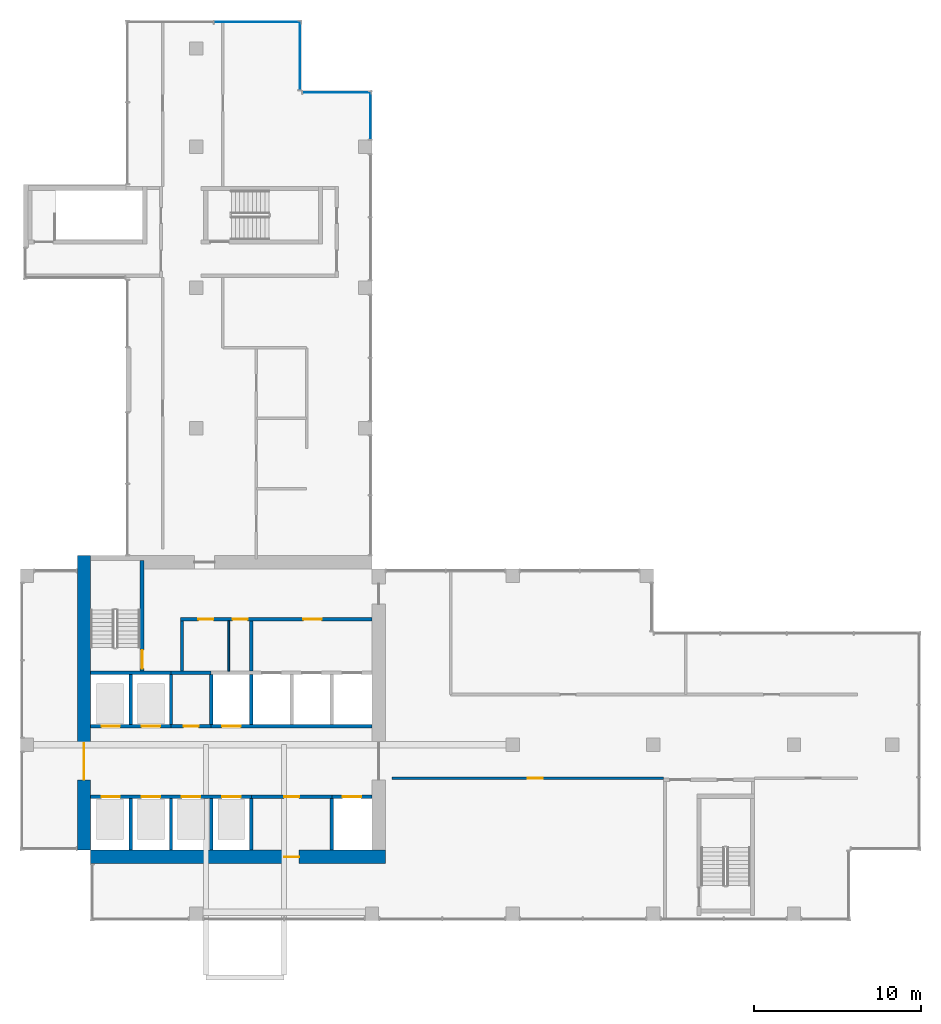
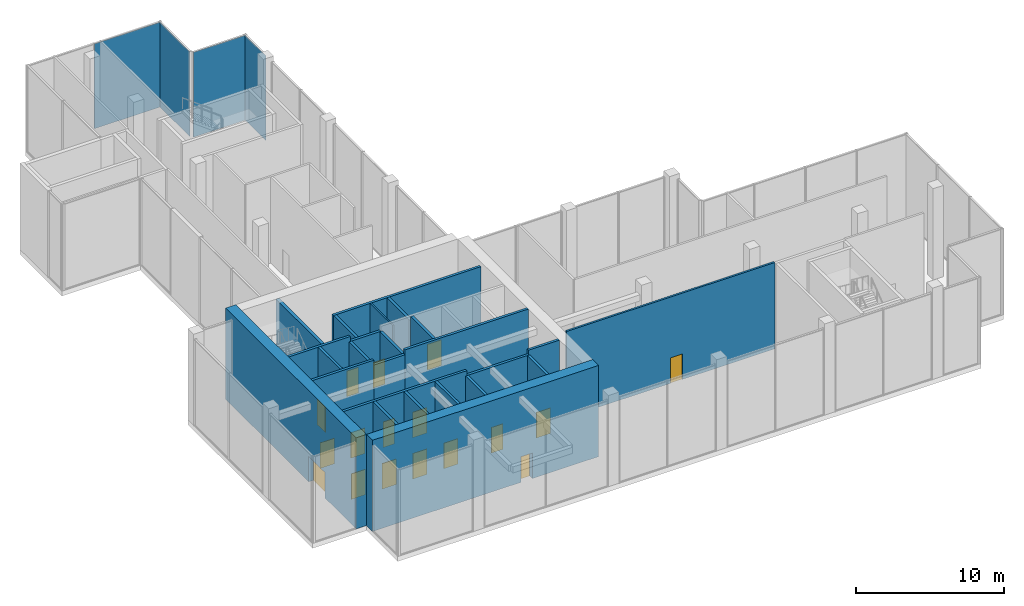
# One storey, part 7 of 13: 25 walls, 17 doors, 4 plates, 17 openings, 4 elements without a shape of their own.
"""IFC4 building model written with IfcOpenShell, lengths in metres."""

from ifc_helpers import new_model, si_unit, direction, frame, frame_2d, origin, origin_2d, place, context, subcontext, project, spatial, rectangle, extrude, source, transform, mapped, material, layer, layer_set, type_object, element, fill, aggregate, save


model = new_model("IFC4")

# Units and contexts
model_context = context("Model", 3, precision=1e-05, world=origin(), true_north=direction((0.0, 1.0)))
body_context = subcontext(model_context, "Body", "Model", "MODEL_VIEW")
ifc_project = project(units=[si_unit("LENGTHUNIT", "METRE"), si_unit("AREAUNIT", "SQUARE_METRE"), si_unit("VOLUMEUNIT", "CUBIC_METRE"), si_unit("PLANEANGLEUNIT", "RADIAN"), si_unit("MASSUNIT", "GRAM", prefix="KILO")], contexts=[model_context])

# Site, building, storey
site_placement = place(None, origin())
site = spatial("IfcSite", under=ifc_project, at=site_placement, CompositionType="ELEMENT")
building_placement = place(site_placement, origin())
building = spatial("IfcBuilding", under=site, at=building_placement, Name="Aurelian Terraces", CompositionType="ELEMENT")
storey_placement = place(building_placement, frame((0.0, 0.0, 277.0)))
storey = spatial("IfcBuildingStorey", under=building, at=storey_placement, Name="L63", CompositionType="ELEMENT", Elevation=277.0)

# Curtain wall, plate
ifc_material_1 = material(Name="Anodised aluminium and clear glazing", Category="aluminium")
ifc_layer_1 = layer(ifc_material_1, 0.2)
ifc_layer_set_1 = layer_set([ifc_layer_1], Name="Lobby glazing curtain wall")
curtain_wall_type = type_object("IfcCurtainWallType", Name="Lobby glazing curtain wall", PredefinedType="NOTDEFINED", material=ifc_layer_set_1)
curtain_wall_1_placement = place(storey_placement, origin())
curtain_wall_1 = element("IfcCurtainWall", 1, at=curtain_wall_1_placement, inside=storey, type_object=curtain_wall_type, Name="Lobby glazing L63 F09.1", PredefinedType="NOTDEFINED")
ifc_material_2 = material(Name="Clear glazing", Category="glass")
ifc_layer_2 = layer(ifc_material_2, 0.028)
ifc_layer_set_2 = layer_set([ifc_layer_2], Name="Lobby glazing glazing panel")
plate_type = type_object("IfcPlateType", Name="Lobby glazing glazing panel", PredefinedType="CURTAIN_PANEL", material=ifc_layer_set_2)
shared_shape_1 = source(origin(), body_context, "Body", "SweptSolid", [
    extrude(rectangle(XDim=4.08, YDim=0.028, at=origin_2d()), origin(), (0.0, 0.0, 1.0), 6.98),
])
plate_1_placement = place(storey_placement, frame((18.9, 49.46, 0.06), z_axis=(0.0, 0.0, 1.0), x_axis=(-1.0, 0.0, 0.0)))
plate_1 = element("IfcPlate", 2, at=plate_1_placement, type_object=plate_type, Name="CW2 panel 1.1", PredefinedType="CURTAIN_PANEL", context=body_context, shape_type="MappedRepresentation", body=[
    mapped(shared_shape_1, transform((0.0, 0.0, 0.0), scale=1.0)),
])
aggregate(curtain_wall_1, [plate_1])

curtain_wall_2_placement = place(storey_placement, origin())
curtain_wall_2 = element("IfcCurtainWall", 3, at=curtain_wall_2_placement, inside=storey, type_object=curtain_wall_type, Name="Lobby glazing L63 F10.1", PredefinedType="NOTDEFINED")
plate_2_placement = place(storey_placement, frame((16.7, 51.66, 0.06), z_axis=(0.0, 0.0, 1.0), x_axis=(0.0, 1.0, 0.0)))
plate_2 = element("IfcPlate", 4, at=plate_2_placement, type_object=plate_type, Name="CW2 panel 1.1", PredefinedType="CURTAIN_PANEL", context=body_context, shape_type="MappedRepresentation", body=[
    mapped(shared_shape_1, transform((0.0, 0.0, 0.0), scale=1.0)),
])
aggregate(curtain_wall_2, [plate_2])

curtain_wall_3_placement = place(storey_placement, origin())
curtain_wall_3 = element("IfcCurtainWall", 5, at=curtain_wall_3_placement, inside=storey, type_object=curtain_wall_type, Name="Lobby glazing L63 F11.1", PredefinedType="NOTDEFINED")
shared_shape_2 = source(origin(), body_context, "Body", "SweptSolid", [
    extrude(rectangle(XDim=5.16, YDim=0.028, at=origin_2d()), origin(), (0.0, 0.0, 1.0), 6.98),
])
plate_3_placement = place(storey_placement, frame((14.16, 53.66, 0.06), z_axis=(0.0, 0.0, 1.0), x_axis=(-1.0, 0.0, 0.0)))
plate_3 = element("IfcPlate", 6, at=plate_3_placement, type_object=plate_type, Name="CW2 panel 1.1", PredefinedType="CURTAIN_PANEL", context=body_context, shape_type="MappedRepresentation", body=[
    mapped(shared_shape_2, transform((0.0, 0.0, 0.0), scale=1.0)),
])
aggregate(curtain_wall_3, [plate_3])

curtain_wall_4_placement = place(storey_placement, origin())
curtain_wall_4 = element("IfcCurtainWall", 7, at=curtain_wall_4_placement, inside=storey, type_object=curtain_wall_type, Name="Lobby glazing L63 F08.4", PredefinedType="NOTDEFINED")
shared_shape_3 = source(origin(), body_context, "Body", "SweptSolid", [
    extrude(rectangle(XDim=2.84, YDim=0.028, at=origin_2d()), origin(), (0.0, 0.0, 1.0), 6.98),
])
plate_4_placement = place(storey_placement, frame((20.9, 48.08, 0.06), z_axis=(0.0, 0.0, 1.0), x_axis=(0.0, 1.0, 0.0)))
plate_4 = element("IfcPlate", 8, at=plate_4_placement, type_object=plate_type, Name="CW2 panel 1.1", PredefinedType="CURTAIN_PANEL", context=body_context, shape_type="MappedRepresentation", body=[
    mapped(shared_shape_3, transform((0.0, 0.0, 0.0), scale=1.0)),
])
aggregate(curtain_wall_4, [plate_4])

# Wall, opening, door
ifc_material_3 = material(Name="Concrete fc' 70 MPa", Category="concrete")
ifc_layer_3 = layer(ifc_material_3, 0.8)
ifc_layer_set_3 = layer_set([ifc_layer_3], Name="CORE WALL 800 FC70")
wall_type_1 = type_object("IfcWallType", Name="CORE WALL 800 FC70", PredefinedType="SHEAR", material=ifc_layer_set_3)
wall_1_placement = place(storey_placement, frame((3.8, 4.2, 0.0), z_axis=(0.0, 0.0, 1.0), x_axis=(0.0, 1.0, 0.0)))
wall_1 = element("IfcWall", 9, at=wall_1_placement, inside=storey, type_object=wall_type_1, Name="Core wall W L63", PredefinedType="SHEAR", context=body_context, shape_type="SweptSolid", body=[
    extrude(rectangle(XDim=17.6, YDim=0.8, at=frame_2d((8.8, 0.0))), origin(), (0.0, 0.0, 1.0), 7.5),
])
shared_shape_4 = source(origin(), body_context, "Body", "SweptSolid", [
    extrude(rectangle(XDim=2.2, YDim=2.1, at=frame_2d((1.1, 1.05))), frame((0.0, 0.41, 0.0), z_axis=(0.0, -1.0, 0.0), x_axis=(1.0, 0.0, 0.0)), (0.0, 0.0, 1.0), 0.82),
])
opening_1_placement = place(wall_1_placement, frame((4.2, 0.0, 0.0)))
opening_1 = element("IfcOpeningElement", 10, at=opening_1_placement, cuts=wall_1, Name="Opening 66627", PredefinedType="OPENING", context=body_context, shape_type="MappedRepresentation", body=[
    mapped(shared_shape_4, transform((0.0, 0.0, 0.0), scale=1.0)),
])
ifc_material_4 = material(Name="Steel door leaf", Category="steel")
door_type_1 = type_object("IfcDoorType", Name="Core double door 2200x2100", OperationType="DOUBLE_DOOR_SINGLE_SWING", PredefinedType="DOOR", material=ifc_material_4)
shared_shape_5 = source(origin(), body_context, "Body", "SweptSolid", [
    extrude(rectangle(XDim=2.2, YDim=2.1, at=frame_2d((1.1, 1.05))), frame((0.0, 0.025, 0.0), z_axis=(0.0, -1.0, 0.0), x_axis=(1.0, 0.0, 0.0)), (0.0, 0.0, 1.0), 0.05),
])
door_1_placement = place(opening_1_placement, origin())
door_1 = element("IfcDoor", 11, at=door_1_placement, inside=storey, type_object=door_type_1, Name="Core door 66627", OperationType="DOUBLE_DOOR_SINGLE_SWING", OverallHeight=2.1, OverallWidth=2.2, PredefinedType="DOOR", context=body_context, shape_type="MappedRepresentation", body=[
    mapped(shared_shape_5, transform((0.0, 0.0, 0.0), scale=1.0)),
])
fill(opening_1, door_1)

# Wall
ifc_material_5 = material(Name="Concrete fc' 40 MPa", Category="concrete")
ifc_layer_4 = layer(ifc_material_5, 0.2)
ifc_layer_set_4 = layer_set([ifc_layer_4], Name="Lift shaft wall 200")
wall_type_2 = type_object("IfcWallType", Name="Lift shaft wall 200", PredefinedType="SOLIDWALL", material=ifc_layer_set_4)
wall_2_placement = place(storey_placement, frame((13.8, 4.2, 0.0), z_axis=(0.0, 0.0, 1.0), x_axis=(0.0, 1.0, 0.0)))
element("IfcWall", 12, at=wall_2_placement, inside=storey, type_object=wall_type_2, Name="L63 core wall CD-A4", PredefinedType="SOLIDWALL", context=body_context, shape_type="SweptSolid", body=[
    extrude(rectangle(XDim=3.1, YDim=0.2, at=frame_2d((1.55, 0.0))), origin(), (0.0, 0.0, 1.0), 7.1),
])

# Wall, opening, door
wall_3_placement = place(storey_placement, frame((13.8, 7.4, 0.0), z_axis=(0.0, 0.0, 1.0), x_axis=(1.0, 0.0, 0.0)))
wall_3 = element("IfcWall", 13, at=wall_3_placement, inside=storey, type_object=wall_type_2, Name="L63 core wall CF-AF2", PredefinedType="SOLIDWALL", context=body_context, shape_type="SweptSolid", body=[
    extrude(rectangle(XDim=4.8, YDim=0.2, at=frame_2d((2.4, 0.0))), origin(), (0.0, 0.0, 1.0), 7.1),
])
shared_shape_6 = source(origin(), body_context, "Body", "SweptSolid", [
    extrude(rectangle(XDim=0.9, YDim=2.1, at=frame_2d((0.45, 1.05))), frame((0.0, 0.11, 0.0), z_axis=(0.0, -1.0, 0.0), x_axis=(1.0, 0.0, 0.0)), (0.0, 0.0, 1.0), 0.22),
])
opening_2_placement = place(wall_3_placement, frame((1.95, 0.0, 0.0)))
opening_2 = element("IfcOpeningElement", 14, at=opening_2_placement, cuts=wall_3, Name="Opening 66604", PredefinedType="OPENING", context=body_context, shape_type="MappedRepresentation", body=[
    mapped(shared_shape_6, transform((0.0, 0.0, 0.0), scale=1.0)),
])
door_type_2 = type_object("IfcDoorType", Name="Core service door 900x2100", OperationType="SINGLE_SWING_LEFT", PredefinedType="DOOR", material=ifc_material_4)
shared_shape_7 = source(origin(), body_context, "Body", "SweptSolid", [
    extrude(rectangle(XDim=0.9, YDim=2.1, at=frame_2d((0.45, 1.05))), frame((0.0, 0.025, 0.0), z_axis=(0.0, -1.0, 0.0), x_axis=(1.0, 0.0, 0.0)), (0.0, 0.0, 1.0), 0.05),
])
door_2_placement = place(opening_2_placement, origin())
door_2 = element("IfcDoor", 15, at=door_2_placement, inside=storey, type_object=door_type_2, Name="Room door 66604", OperationType="SINGLE_SWING_LEFT", OverallHeight=2.1, OverallWidth=0.9, PredefinedType="DOOR", context=body_context, shape_type="MappedRepresentation", body=[
    mapped(shared_shape_7, transform((0.0, 0.0, 0.0), scale=1.0)),
])
fill(opening_2, door_2)

wall_4_placement = place(storey_placement, frame((18.6, 7.4, 0.0), z_axis=(0.0, 0.0, 1.0), x_axis=(1.0, 0.0, 0.0)))
wall_4 = element("IfcWall", 16, at=wall_4_placement, inside=storey, type_object=wall_type_2, Name="L63 core wall CF-AF3", PredefinedType="SOLIDWALL", context=body_context, shape_type="SweptSolid", body=[
    extrude(rectangle(XDim=2.4, YDim=0.2, at=frame_2d((1.2, 0.0))), origin(), (0.0, 0.0, 1.0), 7.5),
])
shared_shape_8 = source(origin(), body_context, "Body", "SweptSolid", [
    extrude(rectangle(XDim=1.1, YDim=2.1, at=frame_2d((0.55, 1.05))), frame((0.0, 0.11, 0.0), z_axis=(0.0, -1.0, 0.0), x_axis=(1.0, 0.0, 0.0)), (0.0, 0.0, 1.0), 0.22),
])
opening_3_placement = place(wall_4_placement, frame((0.65, 0.0, 0.0)))
opening_3 = element("IfcOpeningElement", 17, at=opening_3_placement, cuts=wall_4, Name="Opening 66605", PredefinedType="OPENING", context=body_context, shape_type="MappedRepresentation", body=[
    mapped(shared_shape_8, transform((0.0, 0.0, 0.0), scale=1.0)),
])
ifc_material_6 = material(Name="Stainless steel", Category="steel")
door_type_3 = type_object("IfcDoorType", Name="Lift landing door 1100x2100", OperationType="SLIDING_TO_LEFT", PredefinedType="DOOR", material=ifc_material_6)
shared_shape_9 = source(origin(), body_context, "Body", "SweptSolid", [
    extrude(rectangle(XDim=1.1, YDim=2.1, at=frame_2d((0.55, 1.05))), frame((0.0, 0.025, 0.0), z_axis=(0.0, -1.0, 0.0), x_axis=(1.0, 0.0, 0.0)), (0.0, 0.0, 1.0), 0.05),
])
door_3_placement = place(opening_3_placement, origin())
door_3 = element("IfcDoor", 18, at=door_3_placement, inside=storey, type_object=door_type_3, Name="Lift landing door SH3 L63", OperationType="SLIDING_TO_LEFT", OverallHeight=2.1, OverallWidth=1.1, PredefinedType="DOOR", context=body_context, shape_type="MappedRepresentation", body=[
    mapped(shared_shape_9, transform((0.0, 0.0, 0.0), scale=1.0)),
])
fill(opening_3, door_3)

shared_shape_10 = source(origin(), body_context, "Body", "SweptSolid", [
    extrude(rectangle(XDim=17.6, YDim=0.8, at=frame_2d((8.8, 0.0))), origin(), (0.0, 0.0, 1.0), 7.5),
])
wall_5_placement = place(storey_placement, frame((4.2, 3.8, 0.0), z_axis=(0.0, 0.0, 1.0), x_axis=(1.0, 0.0, 0.0)))
wall_5 = element("IfcWall", 19, at=wall_5_placement, inside=storey, type_object=wall_type_1, Name="Core wall S L63", PredefinedType="SHEAR", context=body_context, shape_type="MappedRepresentation", body=[
    mapped(shared_shape_10, transform((0.0, 0.0, 0.0), scale=1.0)),
])
shared_shape_11 = source(origin(), body_context, "Body", "SweptSolid", [
    extrude(rectangle(XDim=0.9, YDim=2.1, at=frame_2d((0.45, 1.05))), frame((0.0, 0.41, 0.0), z_axis=(0.0, -1.0, 0.0), x_axis=(1.0, 0.0, 0.0)), (0.0, 0.0, 1.0), 0.82),
])
opening_4_placement = place(wall_5_placement, frame((11.55, 0.0, 0.0)))
opening_4 = element("IfcOpeningElement", 20, at=opening_4_placement, cuts=wall_5, Name="Opening 66630", PredefinedType="OPENING", context=body_context, shape_type="MappedRepresentation", body=[
    mapped(shared_shape_11, transform((0.0, 0.0, 0.0), scale=1.0)),
])
door_4_placement = place(opening_4_placement, origin())
door_4 = element("IfcDoor", 21, at=door_4_placement, inside=storey, type_object=door_type_2, Name="Core door 66630", OperationType="SINGLE_SWING_LEFT", OverallHeight=2.1, OverallWidth=0.9, PredefinedType="DOOR", context=body_context, shape_type="MappedRepresentation", body=[
    mapped(shared_shape_7, transform((0.0, 0.0, 0.0), scale=1.0)),
])
fill(opening_4, door_4)

# Walls
shared_shape_12 = source(origin(), body_context, "Body", "SweptSolid", [
    extrude(rectangle(XDim=3.1, YDim=0.2, at=frame_2d((1.55, 0.0))), origin(), (0.0, 0.0, 1.0), 7.5),
])
for number, where, z_axis, x_axis, name in (
    (22, (6.6, 4.2, 0.0), (0.0, 0.0, 1.0), (0.0, 1.0, 0.0), "L63 core wall CD-A1"),
    (23, (9.0, 4.2, 0.0), (0.0, 0.0, 1.0), (0.0, 1.0, 0.0), "L63 core wall CD-A2"),
    (24, (11.4, 4.2, 0.0), (0.0, 0.0, 1.0), (0.0, 1.0, 0.0), "L63 core wall CD-A3"),
):
    element("IfcWall", number, at=place(storey_placement, frame(where, z_axis=z_axis, x_axis=x_axis)), inside=storey, type_object=wall_type_2, Name=name, PredefinedType="SOLIDWALL", context=body_context, shape_type="MappedRepresentation", body=[
        mapped(shared_shape_12, transform((0.0, 0.0, 0.0), scale=1.0)),
    ])
shared_shape_13 = source(origin(), body_context, "Body", "SweptSolid", [
    extrude(rectangle(XDim=3.0, YDim=0.2, at=frame_2d((1.5, 0.0))), origin(), (0.0, 0.0, 1.0), 7.5),
])
for number, where, z_axis, x_axis, name in (
    (25, (6.6, 11.7, 0.0), (0.0, 0.0, 1.0), (0.0, 1.0, 0.0), "L63 core wall CD-B1"),
    (26, (13.8, 11.7, 0.0), (0.0, 0.0, 1.0), (0.0, 1.0, 0.0), "L63 core wall CD-B4"),
):
    element("IfcWall", number, at=place(storey_placement, frame(where, z_axis=z_axis, x_axis=x_axis)), inside=storey, type_object=wall_type_2, Name=name, PredefinedType="SOLIDWALL", context=body_context, shape_type="MappedRepresentation", body=[
        mapped(shared_shape_13, transform((0.0, 0.0, 0.0), scale=1.0)),
    ])
shared_shape_14 = source(origin(), body_context, "Body", "SweptSolid", [
    extrude(rectangle(XDim=3.0, YDim=0.2, at=frame_2d((1.5, 0.0))), origin(), (0.0, 0.0, 1.0), 7.1),
])
for number, where, z_axis, x_axis, name in (
    (27, (9.0, 11.7, 0.0), (0.0, 0.0, 1.0), (0.0, 1.0, 0.0), "L63 core wall CD-B2"),
    (28, (11.4, 11.7, 0.0), (0.0, 0.0, 1.0), (0.0, 1.0, 0.0), "L63 core wall CD-B3"),
):
    element("IfcWall", number, at=place(storey_placement, frame(where, z_axis=z_axis, x_axis=x_axis)), inside=storey, type_object=wall_type_2, Name=name, PredefinedType="SOLIDWALL", context=body_context, shape_type="MappedRepresentation", body=[
        mapped(shared_shape_14, transform((0.0, 0.0, 0.0), scale=1.0)),
    ])

# Wall, openings, doors
shared_shape_15 = source(origin(), body_context, "Body", "SweptSolid", [
    extrude(rectangle(XDim=4.8, YDim=0.2, at=frame_2d((2.4, 0.0))), origin(), (0.0, 0.0, 1.0), 7.5),
])
wall_6_placement = place(storey_placement, frame((4.2, 11.6, 0.0), z_axis=(0.0, 0.0, 1.0), x_axis=(1.0, 0.0, 0.0)))
wall_6 = element("IfcWall", 29, at=wall_6_placement, inside=storey, type_object=wall_type_2, Name="L63 core wall CF-BF1", PredefinedType="SOLIDWALL", context=body_context, shape_type="MappedRepresentation", body=[
    mapped(shared_shape_15, transform((0.0, 0.0, 0.0), scale=1.0)),
])
opening_5_placement = place(wall_6_placement, frame((0.65, 0.0, 0.0)))
opening_5 = element("IfcOpeningElement", 30, at=opening_5_placement, cuts=wall_6, Name="Opening 66606", PredefinedType="OPENING", context=body_context, shape_type="MappedRepresentation", body=[
    mapped(shared_shape_8, transform((0.0, 0.0, 0.0), scale=1.0)),
])
opening_6_placement = place(wall_6_placement, frame((3.05, 0.0, 0.0)))
opening_6 = element("IfcOpeningElement", 31, at=opening_6_placement, cuts=wall_6, Name="Opening 66607", PredefinedType="OPENING", context=body_context, shape_type="MappedRepresentation", body=[
    mapped(shared_shape_8, transform((0.0, 0.0, 0.0), scale=1.0)),
])
door_5_placement = place(opening_5_placement, origin())
door_5 = element("IfcDoor", 32, at=door_5_placement, inside=storey, type_object=door_type_3, Name="Lift landing door LH5 L63", OperationType="SLIDING_TO_LEFT", OverallHeight=2.1, OverallWidth=1.1, PredefinedType="DOOR", context=body_context, shape_type="MappedRepresentation", body=[
    mapped(shared_shape_9, transform((0.0, 0.0, 0.0), scale=1.0)),
])
fill(opening_5, door_5)
door_6_placement = place(opening_6_placement, origin())
door_6 = element("IfcDoor", 33, at=door_6_placement, inside=storey, type_object=door_type_3, Name="Lift landing door LH6 L63", OperationType="SLIDING_TO_LEFT", OverallHeight=2.1, OverallWidth=1.1, PredefinedType="DOOR", context=body_context, shape_type="MappedRepresentation", body=[
    mapped(shared_shape_9, transform((0.0, 0.0, 0.0), scale=1.0)),
])
fill(opening_6, door_6)

# Wall
wall_7_placement = place(storey_placement, frame((4.2, 14.8, 0.0), z_axis=(0.0, 0.0, 1.0), x_axis=(1.0, 0.0, 0.0)))
element("IfcWall", 34, at=wall_7_placement, inside=storey, type_object=wall_type_2, Name="L63 core wall CF-BB1", PredefinedType="SOLIDWALL", context=body_context, shape_type="MappedRepresentation", body=[
    mapped(shared_shape_15, transform((0.0, 0.0, 0.0), scale=1.0)),
])

# Wall, opening, door
shared_shape_16 = source(origin(), body_context, "Body", "SweptSolid", [
    extrude(rectangle(XDim=2.4, YDim=0.2, at=frame_2d((1.2, 0.0))), origin(), (0.0, 0.0, 1.0), 7.1),
])
wall_8_placement = place(storey_placement, frame((9.0, 11.6, 0.0), z_axis=(0.0, 0.0, 1.0), x_axis=(1.0, 0.0, 0.0)))
wall_8 = element("IfcWall", 35, at=wall_8_placement, inside=storey, type_object=wall_type_2, Name="L63 core wall CF-BF2", PredefinedType="SOLIDWALL", context=body_context, shape_type="MappedRepresentation", body=[
    mapped(shared_shape_16, transform((0.0, 0.0, 0.0), scale=1.0)),
])
opening_7_placement = place(wall_8_placement, frame((0.75, 0.0, 0.0)))
opening_7 = element("IfcOpeningElement", 36, at=opening_7_placement, cuts=wall_8, Name="Opening 66608", PredefinedType="OPENING", context=body_context, shape_type="MappedRepresentation", body=[
    mapped(shared_shape_6, transform((0.0, 0.0, 0.0), scale=1.0)),
])
door_7_placement = place(opening_7_placement, origin())
door_7 = element("IfcDoor", 37, at=door_7_placement, inside=storey, type_object=door_type_2, Name="Room door 66608", OperationType="SINGLE_SWING_LEFT", OverallHeight=2.1, OverallWidth=0.9, PredefinedType="DOOR", context=body_context, shape_type="MappedRepresentation", body=[
    mapped(shared_shape_7, transform((0.0, 0.0, 0.0), scale=1.0)),
])
fill(opening_7, door_7)

# Wall
wall_9_placement = place(storey_placement, frame((9.0, 14.8, 0.0), z_axis=(0.0, 0.0, 1.0), x_axis=(1.0, 0.0, 0.0)))
element("IfcWall", 38, at=wall_9_placement, inside=storey, type_object=wall_type_2, Name="L63 core wall CF-BB2", PredefinedType="SOLIDWALL", context=body_context, shape_type="MappedRepresentation", body=[
    mapped(shared_shape_16, transform((0.0, 0.0, 0.0), scale=1.0)),
])

# Wall, openings, doors
shared_shape_17 = source(origin(), body_context, "Body", "SweptSolid", [
    extrude(rectangle(XDim=9.6, YDim=0.2, at=frame_2d((4.8, 0.0))), origin(), (0.0, 0.0, 1.0), 7.5),
])
wall_10_placement = place(storey_placement, frame((4.2, 7.4, 0.0), z_axis=(0.0, 0.0, 1.0), x_axis=(1.0, 0.0, 0.0)))
wall_10 = element("IfcWall", 39, at=wall_10_placement, inside=storey, type_object=wall_type_2, Name="L63 core wall CF-AF1", PredefinedType="SOLIDWALL", context=body_context, shape_type="MappedRepresentation", body=[
    mapped(shared_shape_17, transform((0.0, 0.0, 0.0), scale=1.0)),
])
opening_8_placement = place(wall_10_placement, frame((0.65, 0.0, 0.0)))
opening_8 = element("IfcOpeningElement", 40, at=opening_8_placement, cuts=wall_10, Name="Opening 66600", PredefinedType="OPENING", context=body_context, shape_type="MappedRepresentation", body=[
    mapped(shared_shape_8, transform((0.0, 0.0, 0.0), scale=1.0)),
])
opening_9_placement = place(wall_10_placement, frame((3.05, 0.0, 0.0)))
opening_9 = element("IfcOpeningElement", 41, at=opening_9_placement, cuts=wall_10, Name="Opening 66601", PredefinedType="OPENING", context=body_context, shape_type="MappedRepresentation", body=[
    mapped(shared_shape_8, transform((0.0, 0.0, 0.0), scale=1.0)),
])
opening_10_placement = place(wall_10_placement, frame((5.45, 0.0, 0.0)))
opening_10 = element("IfcOpeningElement", 42, at=opening_10_placement, cuts=wall_10, Name="Opening 66602", PredefinedType="OPENING", context=body_context, shape_type="MappedRepresentation", body=[
    mapped(shared_shape_8, transform((0.0, 0.0, 0.0), scale=1.0)),
])
opening_11_placement = place(wall_10_placement, frame((7.85, 0.0, 0.0)))
opening_11 = element("IfcOpeningElement", 43, at=opening_11_placement, cuts=wall_10, Name="Opening 66603", PredefinedType="OPENING", context=body_context, shape_type="MappedRepresentation", body=[
    mapped(shared_shape_8, transform((0.0, 0.0, 0.0), scale=1.0)),
])
door_8_placement = place(opening_8_placement, origin())
door_8 = element("IfcDoor", 44, at=door_8_placement, inside=storey, type_object=door_type_3, Name="Lift landing door LH1 L63", OperationType="SLIDING_TO_LEFT", OverallHeight=2.1, OverallWidth=1.1, PredefinedType="DOOR", context=body_context, shape_type="MappedRepresentation", body=[
    mapped(shared_shape_9, transform((0.0, 0.0, 0.0), scale=1.0)),
])
fill(opening_8, door_8)
door_9_placement = place(opening_9_placement, origin())
door_9 = element("IfcDoor", 45, at=door_9_placement, inside=storey, type_object=door_type_3, Name="Lift landing door LH2 L63", OperationType="SLIDING_TO_LEFT", OverallHeight=2.1, OverallWidth=1.1, PredefinedType="DOOR", context=body_context, shape_type="MappedRepresentation", body=[
    mapped(shared_shape_9, transform((0.0, 0.0, 0.0), scale=1.0)),
])
fill(opening_9, door_9)
door_10_placement = place(opening_10_placement, origin())
door_10 = element("IfcDoor", 46, at=door_10_placement, inside=storey, type_object=door_type_3, Name="Lift landing door LH3 L63", OperationType="SLIDING_TO_LEFT", OverallHeight=2.1, OverallWidth=1.1, PredefinedType="DOOR", context=body_context, shape_type="MappedRepresentation", body=[
    mapped(shared_shape_9, transform((0.0, 0.0, 0.0), scale=1.0)),
])
fill(opening_10, door_10)
door_11_placement = place(opening_11_placement, origin())
door_11 = element("IfcDoor", 47, at=door_11_placement, inside=storey, type_object=door_type_3, Name="Lift landing door LH4 L63", OperationType="SLIDING_TO_LEFT", OverallHeight=2.1, OverallWidth=1.1, PredefinedType="DOOR", context=body_context, shape_type="MappedRepresentation", body=[
    mapped(shared_shape_9, transform((0.0, 0.0, 0.0), scale=1.0)),
])
fill(opening_11, door_11)

# Wall, opening, door
wall_11_placement = place(storey_placement, frame((11.4, 11.6, 0.0), z_axis=(0.0, 0.0, 1.0), x_axis=(1.0, 0.0, 0.0)))
wall_11 = element("IfcWall", 48, at=wall_11_placement, inside=storey, type_object=wall_type_2, Name="L63 core wall CF-BF3", PredefinedType="SOLIDWALL", context=body_context, shape_type="MappedRepresentation", body=[
    mapped(shared_shape_17, transform((0.0, 0.0, 0.0), scale=1.0)),
])
opening_12_placement = place(wall_11_placement, frame((0.65, 0.0, 0.0)))
opening_12 = element("IfcOpeningElement", 49, at=opening_12_placement, cuts=wall_11, Name="Opening 66609", PredefinedType="OPENING", context=body_context, shape_type="MappedRepresentation", body=[
    mapped(shared_shape_8, transform((0.0, 0.0, 0.0), scale=1.0)),
])
door_12_placement = place(opening_12_placement, origin())
door_12 = element("IfcDoor", 50, at=door_12_placement, inside=storey, type_object=door_type_3, Name="Lift landing door SH4 L63", OperationType="SLIDING_TO_LEFT", OverallHeight=2.1, OverallWidth=1.1, PredefinedType="DOOR", context=body_context, shape_type="MappedRepresentation", body=[
    mapped(shared_shape_9, transform((0.0, 0.0, 0.0), scale=1.0)),
])
fill(opening_12, door_12)

# Walls
ifc_material_7 = material(Name="Gypsum board on steel studs", Category="steel")
ifc_layer_5 = layer(ifc_material_7, 0.2)
ifc_layer_set_5 = layer_set([ifc_layer_5], Name="Core partition 200")
wall_type_3 = type_object("IfcWallType", Name="Core partition 200", PredefinedType="PARTITIONING", material=ifc_layer_set_5)
shared_shape_18 = source(origin(), body_context, "Body", "SweptSolid", [
    extrude(rectangle(XDim=3.0, YDim=0.2, at=frame_2d((1.5, 0.0))), origin(), (0.0, 0.0, 1.0), 7.1),
])
for number, where, z_axis, x_axis, name in (
    (51, (9.65, 14.9, 0.0), (0.0, 0.0, 1.0), (0.0, 1.0, 0.0), "L63 core wall CP-VEST"),
    (52, (13.8, 14.9, 0.0), (0.0, 0.0, 1.0), (0.0, 1.0, 0.0), "L63 core wall CP-FFL"),
):
    element("IfcWall", number, at=place(storey_placement, frame(where, z_axis=z_axis, x_axis=x_axis)), inside=storey, type_object=wall_type_3, Name=name, PredefinedType="PARTITIONING", context=body_context, shape_type="MappedRepresentation", body=[
        mapped(shared_shape_18, transform((0.0, 0.0, 0.0), scale=1.0)),
    ])
ifc_layer_6 = layer(ifc_material_7, 0.1)
ifc_layer_set_6 = layer_set([ifc_layer_6], Name="Core partition 100")
wall_type_4 = type_object("IfcWallType", Name="Core partition 100", PredefinedType="PARTITIONING", material=ifc_layer_set_6)
shared_shape_19 = source(origin(), body_context, "Body", "SweptSolid", [
    extrude(rectangle(XDim=3.0, YDim=0.1, at=frame_2d((1.5, 0.0))), origin(), (0.0, 0.0, 1.0), 7.1),
])
wall_12_placement = place(storey_placement, frame((12.45, 14.9, 0.0), z_axis=(0.0, 0.0, 1.0), x_axis=(0.0, 1.0, 0.0)))
element("IfcWall", 53, at=wall_12_placement, inside=storey, type_object=wall_type_4, Name="L63 core wall CP-SV1", PredefinedType="PARTITIONING", context=body_context, shape_type="MappedRepresentation", body=[
    mapped(shared_shape_19, transform((0.0, 0.0, 0.0), scale=1.0)),
])
shared_shape_20 = source(origin(), body_context, "Body", "SweptSolid", [
    extrude(rectangle(XDim=3.1, YDim=0.2, at=frame_2d((1.55, 0.0))), origin(), (0.0, 0.0, 1.0), 7.1),
])
wall_13_placement = place(storey_placement, frame((18.6, 4.2, 0.0), z_axis=(0.0, 0.0, 1.0), x_axis=(0.0, 1.0, 0.0)))
element("IfcWall", 54, at=wall_13_placement, inside=storey, type_object=wall_type_2, Name="L63 core wall CD-A6", PredefinedType="SOLIDWALL", context=body_context, shape_type="MappedRepresentation", body=[
    mapped(shared_shape_20, transform((0.0, 0.0, 0.0), scale=1.0)),
])

# Wall, opening, door
ifc_layer_7 = layer(ifc_material_5, 0.25)
ifc_layer_set_7 = layer_set([ifc_layer_7], Name="Stair enclosure wall 250")
wall_type_5 = type_object("IfcWallType", Name="Stair enclosure wall 250", PredefinedType="SOLIDWALL", material=ifc_layer_set_7)
shared_shape_21 = source(origin(), body_context, "Body", "SweptSolid", [
    extrude(rectangle(XDim=6.6, YDim=0.25, at=frame_2d((3.3, 0.0))), origin(), (0.0, 0.0, 1.0), 7.1),
])
wall_14_placement = place(storey_placement, frame((7.275, 14.9, 0.0), z_axis=(0.0, 0.0, 1.0), x_axis=(0.0, 1.0, 0.0)))
wall_14 = element("IfcWall", 55, at=wall_14_placement, inside=storey, type_object=wall_type_5, Name="L63 core wall ST-S1-E", PredefinedType="SOLIDWALL", context=body_context, shape_type="MappedRepresentation", body=[
    mapped(shared_shape_21, transform((0.0, 0.0, 0.0), scale=1.0)),
])
shared_shape_22 = source(origin(), body_context, "Body", "SweptSolid", [
    extrude(rectangle(XDim=1.1, YDim=2.1, at=frame_2d((0.55, 1.05))), frame((0.0, 0.135, 0.0), z_axis=(0.0, -1.0, 0.0), x_axis=(1.0, 0.0, 0.0)), (0.0, 0.0, 1.0), 0.27),
])
opening_13_placement = place(wall_14_placement, frame((0.15, 0.0, 0.0)))
opening_13 = element("IfcOpeningElement", 56, at=opening_13_placement, cuts=wall_14, Name="Opening 66613", PredefinedType="OPENING", context=body_context, shape_type="MappedRepresentation", body=[
    mapped(shared_shape_22, transform((0.0, 0.0, 0.0), scale=1.0)),
])
door_type_4 = type_object("IfcDoorType", Name="Core fire door 1100x2100 right", OperationType="SINGLE_SWING_RIGHT", PredefinedType="DOOR", material=ifc_material_4)
door_13_placement = place(opening_13_placement, origin())
door_13 = element("IfcDoor", 57, at=door_13_placement, inside=storey, type_object=door_type_4, Name="Stair door 66613", OperationType="SINGLE_SWING_RIGHT", OverallHeight=2.1, OverallWidth=1.1, PredefinedType="DOOR", context=body_context, shape_type="MappedRepresentation", body=[
    mapped(shared_shape_9, transform((0.0, 0.0, 0.0), scale=1.0)),
])
fill(opening_13, door_13)

# Wall, openings, doors
shared_shape_23 = source(origin(), body_context, "Body", "SweptSolid", [
    extrude(rectangle(XDim=11.45, YDim=0.2, at=frame_2d((5.725, 0.0))), origin(), (0.0, 0.0, 1.0), 7.1),
])
wall_15_placement = place(storey_placement, frame((9.55, 18.0, 0.0), z_axis=(0.0, 0.0, 1.0), x_axis=(1.0, 0.0, 0.0)))
wall_15 = element("IfcWall", 58, at=wall_15_placement, inside=storey, type_object=wall_type_3, Name="L63 core wall CP-NORTH", PredefinedType="PARTITIONING", context=body_context, shape_type="MappedRepresentation", body=[
    mapped(shared_shape_23, transform((0.0, 0.0, 0.0), scale=1.0)),
])
opening_14_placement = place(wall_15_placement, frame((1.075, 0.0, 0.0)))
opening_14 = element("IfcOpeningElement", 59, at=opening_14_placement, cuts=wall_15, Name="Opening 66614", PredefinedType="OPENING", context=body_context, shape_type="MappedRepresentation", body=[
    mapped(shared_shape_6, transform((0.0, 0.0, 0.0), scale=1.0)),
])
opening_15_placement = place(wall_15_placement, frame((3.125, 0.0, 0.0)))
opening_15 = element("IfcOpeningElement", 60, at=opening_15_placement, cuts=wall_15, Name="Opening 66615", PredefinedType="OPENING", context=body_context, shape_type="MappedRepresentation", body=[
    mapped(shared_shape_6, transform((0.0, 0.0, 0.0), scale=1.0)),
])
opening_16_placement = place(wall_15_placement, frame((7.35, 0.0, 0.0)))
opening_16 = element("IfcOpeningElement", 61, at=opening_16_placement, cuts=wall_15, Name="Opening 66616", PredefinedType="OPENING", context=body_context, shape_type="MappedRepresentation", body=[
    mapped(shared_shape_8, transform((0.0, 0.0, 0.0), scale=1.0)),
])
door_14_placement = place(opening_14_placement, origin())
door_14 = element("IfcDoor", 62, at=door_14_placement, inside=storey, type_object=door_type_2, Name="Room door 66614", OperationType="SINGLE_SWING_LEFT", OverallHeight=2.1, OverallWidth=0.9, PredefinedType="DOOR", context=body_context, shape_type="MappedRepresentation", body=[
    mapped(shared_shape_7, transform((0.0, 0.0, 0.0), scale=1.0)),
])
fill(opening_14, door_14)
door_type_5 = type_object("IfcDoorType", Name="Core riser door 900x2100 right", OperationType="SINGLE_SWING_RIGHT", PredefinedType="DOOR", material=ifc_material_4)
door_15_placement = place(opening_15_placement, origin())
door_15 = element("IfcDoor", 63, at=door_15_placement, inside=storey, type_object=door_type_5, Name="Room door 66615", OperationType="SINGLE_SWING_RIGHT", OverallHeight=2.1, OverallWidth=0.9, PredefinedType="DOOR", context=body_context, shape_type="MappedRepresentation", body=[
    mapped(shared_shape_7, transform((0.0, 0.0, 0.0), scale=1.0)),
])
fill(opening_15, door_15)
door_type_6 = type_object("IfcDoorType", Name="Core fire door 1100x2100", OperationType="SINGLE_SWING_LEFT", PredefinedType="DOOR", material=ifc_material_4)
door_16_placement = place(opening_16_placement, origin())
door_16 = element("IfcDoor", 64, at=door_16_placement, inside=storey, type_object=door_type_6, Name="Ff lobby door 66616", OperationType="SINGLE_SWING_LEFT", OverallHeight=2.1, OverallWidth=1.1, PredefinedType="DOOR", context=body_context, shape_type="MappedRepresentation", body=[
    mapped(shared_shape_9, transform((0.0, 0.0, 0.0), scale=1.0)),
])
fill(opening_16, door_16)

# Wall, opening, door
ifc_layer_8 = layer(ifc_material_7, 0.15)
ifc_layer_set_8 = layer_set([ifc_layer_8], Name="Special partition 150")
wall_type_6 = type_object("IfcWallType", Name="Special partition 150", PredefinedType="PARTITIONING", material=ifc_layer_set_8)
shared_shape_24 = source(origin(), body_context, "Body", "SweptSolid", [
    extrude(rectangle(XDim=16.2, YDim=0.15, at=frame_2d((8.1, 0.0))), origin(), (0.0, 0.0, 1.0), 7.1),
])
wall_16_placement = place(storey_placement, frame((22.2, 8.5, 0.0), z_axis=(0.0, 0.0, 1.0), x_axis=(1.0, 0.0, 0.0)))
wall_16 = element("IfcWall", 65, at=wall_16_placement, inside=storey, type_object=wall_type_6, Name="L63 partition W01", PredefinedType="PARTITIONING", context=body_context, shape_type="MappedRepresentation", body=[
    mapped(shared_shape_24, transform((0.0, 0.0, 0.0), scale=1.0)),
])
shared_shape_25 = source(origin(), body_context, "Body", "SweptSolid", [
    extrude(rectangle(XDim=0.9, YDim=2.1, at=frame_2d((0.45, 1.05))), frame((0.0, 0.085, 0.0), z_axis=(0.0, -1.0, 0.0), x_axis=(1.0, 0.0, 0.0)), (0.0, 0.0, 1.0), 0.17),
])
opening_17_placement = place(wall_16_placement, frame((8.1, 0.0, 0.0)))
opening_17 = element("IfcOpeningElement", 66, at=opening_17_placement, cuts=wall_16, Name="Opening 76601", PredefinedType="OPENING", context=body_context, shape_type="MappedRepresentation", body=[
    mapped(shared_shape_25, transform((0.0, 0.0, 0.0), scale=1.0)),
])
ifc_material_8 = material(Name="Timber door leaf", Category="wood")
door_type_7 = type_object("IfcDoorType", Name="Special door 900x2100", OperationType="SINGLE_SWING_LEFT", PredefinedType="DOOR", material=ifc_material_8)
door_17_placement = place(opening_17_placement, origin())
door_17 = element("IfcDoor", 67, at=door_17_placement, inside=storey, type_object=door_type_7, Name="Door 76601", OperationType="SINGLE_SWING_LEFT", OverallHeight=2.1, OverallWidth=0.9, PredefinedType="DOOR", context=body_context, shape_type="MappedRepresentation", body=[
    mapped(shared_shape_7, transform((0.0, 0.0, 0.0), scale=1.0)),
])
fill(opening_17, door_17)

save(model, "model.ifc")
